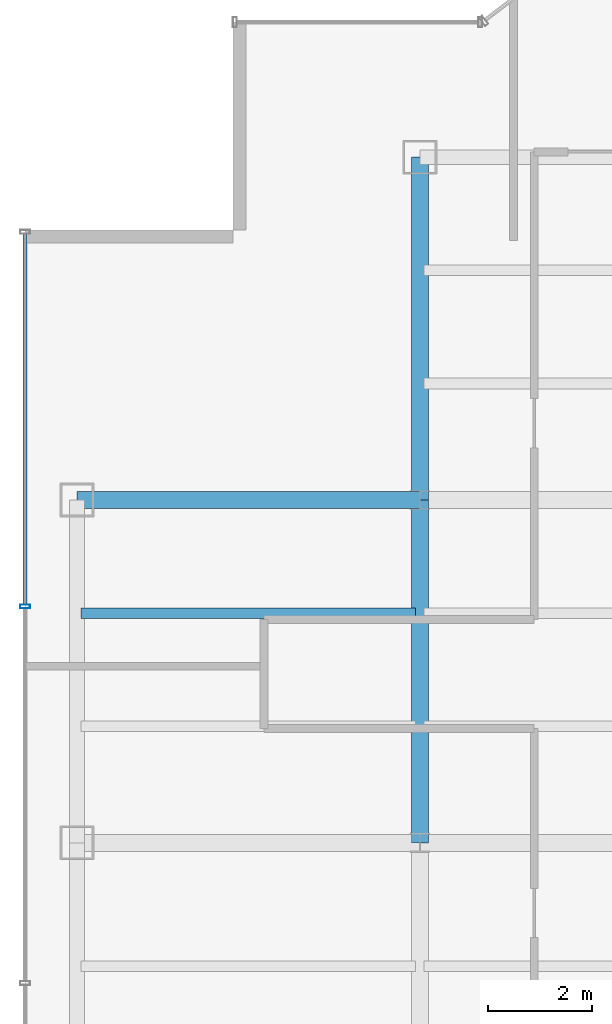
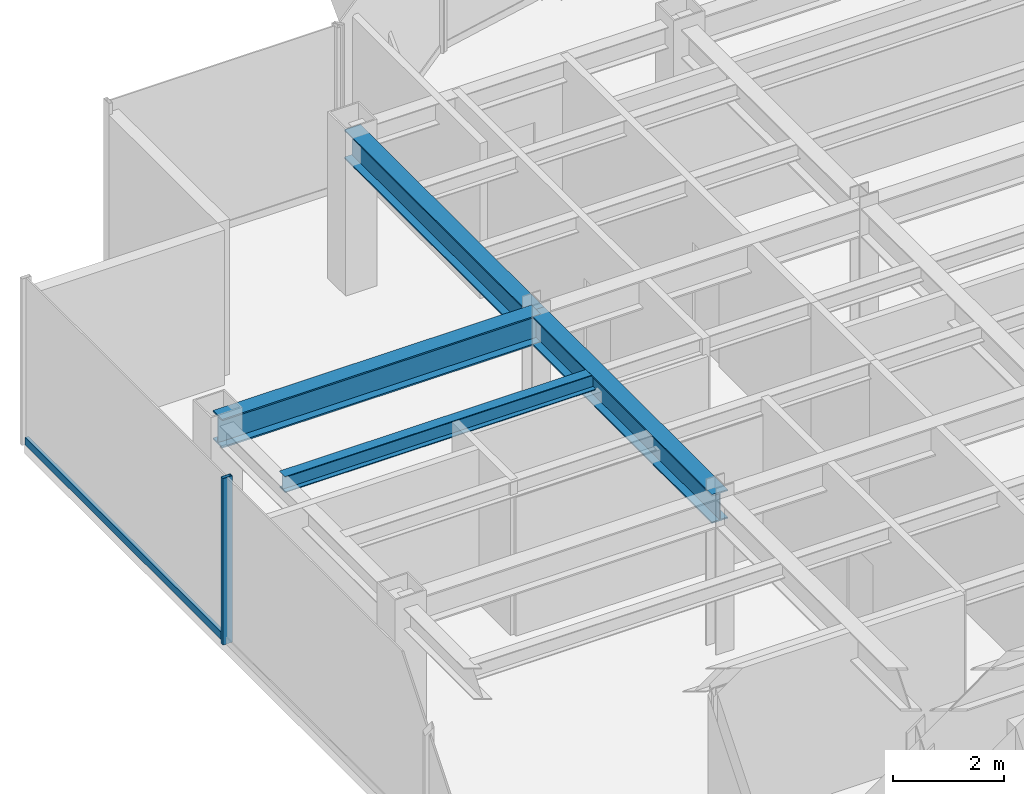
# One storey, part 7 of 25: 4 beams, 2 members, 1 element without a shape of its own.
"""IFC4 building model written with IfcOpenShell, lengths in metres."""

from ifc_helpers import new_model, si_unit, derived_unit, direction, frame, origin, origin_2d, place, context, subcontext, project, spatial, hollow_rectangle, i_section, extrude, source, transform, mapped, material, material_profile, profile_set, type_object, element, aggregate, save


model = new_model("IFC4")

# Units and contexts
model_context = context("Model", 3, precision=1e-05, world=origin(), true_north=direction((0.0, 1.0)))
body_context = subcontext(model_context, "Body", "Model", "MODEL_VIEW")
ifc_project = project(units=[si_unit("LENGTHUNIT", "METRE"), si_unit("AREAUNIT", "SQUARE_METRE"), si_unit("VOLUMEUNIT", "CUBIC_METRE"), si_unit("PLANEANGLEUNIT", "RADIAN"), si_unit("MASSUNIT", "GRAM", prefix="KILO"), derived_unit("THERMALTRANSMITTANCEUNIT", [(si_unit("POWERUNIT", "WATT"), 1), (si_unit("LENGTHUNIT", "METRE"), -2), (si_unit("THERMODYNAMICTEMPERATUREUNIT", "KELVIN"), -1)])], contexts=[model_context])

# Site, building, storey
site_placement = place(None, origin())
site = spatial("IfcSite", under=ifc_project, at=site_placement, CompositionType="ELEMENT")
building_placement = place(site_placement, origin())
building = spatial("IfcBuilding", under=site, at=building_placement, Name="Skarnbrae Concourse Arena and Tower", CompositionType="ELEMENT")
storey_placement = place(building_placement, frame((0.0, 0.0, 169.800048828125)))
storey = spatial("IfcBuildingStorey", under=building, at=storey_placement, Name="L43", CompositionType="ELEMENT", Elevation=169.800048828125)

# Beams
ifc_material_1 = material(Name="Steel CSA G40.21 350W", Category="steel")
ifc_material_profile_1 = material_profile(ifc_material_1, i_section(OverallWidth=0.3291015625, OverallDepth=0.635009765625, WebThickness=0.017822265625, FlangeThickness=0.031005859375, at=origin_2d()), Name="W610X241")
ifc_profile_set_1 = profile_set([ifc_material_profile_1], Name="Steel CSA G40.21 350W")
beam_type_1 = type_object("IfcBeamType", Name="BM-GIRD-W610X241", PredefinedType="BEAM", material=ifc_profile_set_1)
shared_shape_1 = source(origin(), body_context, "Body", "SweptSolid", [
    extrude(i_section(OverallWidth=0.3291015625, OverallDepth=0.635009765625, WebThickness=0.017822265625, FlangeThickness=0.031005859375, at=origin_2d()), origin(), (0.0, 0.0, 1.0), 6.60009765625),
])
for number, where, z_axis, x_axis, name in (
    (1, (1.0, 27.800048828125, 3.08251953125), (1.0, 0.0, 0.0), (0.0, 1.0, 0.0), "L43 Primary E-W girder Y27.8-1"),
    (2, (7.60009765625, 21.199951171875, 3.08251953125), (0.0, 1.0, 0.0), (-1.0, 0.0, 0.0), "L43 Primary N-S girder X7.6-2"),
):
    element("IfcBeam", number, at=place(storey_placement, frame(where, z_axis=z_axis, x_axis=x_axis)), inside=storey, type_object=beam_type_1, Name=name, PredefinedType="BEAM", context=body_context, shape_type="MappedRepresentation", body=[
        mapped(shared_shape_1, transform((0.0, 0.0, 0.0))),
    ])
shared_shape_2 = source(origin(), body_context, "Body", "SweptSolid", [
    extrude(i_section(OverallWidth=0.3291015625, OverallDepth=0.635009765625, WebThickness=0.017822265625, FlangeThickness=0.031005859375, at=origin_2d()), origin(), (0.0, 0.0, 1.0), 6.599853515625),
])
beam_1_placement = place(storey_placement, frame((7.60009765625, 27.800048828125, 3.08251953125), z_axis=(0.0, 1.0, 0.0), x_axis=(-1.0, 0.0, 0.0)))
element("IfcBeam", 3, at=beam_1_placement, inside=storey, type_object=beam_type_1, Name="L43 Primary N-S girder X7.6-3", PredefinedType="BEAM", context=body_context, shape_type="MappedRepresentation", body=[
    mapped(shared_shape_2, transform((0.0, 0.0, 0.0))),
])
ifc_material_profile_2 = material_profile(ifc_material_1, i_section(OverallWidth=0.205078125, OverallDepth=0.35400390625, WebThickness=0.009521484375, FlangeThickness=0.016845703125, at=origin_2d()), Name="W360X79")
ifc_profile_set_2 = profile_set([ifc_material_profile_2], Name="Steel CSA G40.21 350W")
beam_type_2 = type_object("IfcBeamType", Name="BM-JOIST-W360X79", PredefinedType="JOIST", material=ifc_profile_set_2)
shared_shape_3 = source(origin(), body_context, "Body", "SweptSolid", [
    extrude(i_section(OverallWidth=0.205078125, OverallDepth=0.35400390625, WebThickness=0.009521484375, FlangeThickness=0.016845703125, at=origin_2d()), origin(), (0.0, 0.0, 1.0), 6.43994140625),
])
beam_2_placement = place(storey_placement, frame((1.080078125, 25.6220703125, 3.222900390625), z_axis=(1.0, 0.0, 0.0), x_axis=(0.0, 1.0, 0.0)))
element("IfcBeam", 4, at=beam_2_placement, inside=storey, type_object=beam_type_2, Name="L43 Secondary floor joist 2.2.1", PredefinedType="JOIST", context=body_context, shape_type="MappedRepresentation", body=[
    mapped(shared_shape_3, transform((0.0, 0.0, 0.0))),
])

# Curtain wall, members
ifc_material_2 = material(Name="Bronze anodised aluminium 6063-T6", Category="aluminium")
curtain_wall_type = type_object("IfcCurtainWallType", Name="CW-SYS-04-MIDZONE", PredefinedType="USERDEFINED", material=ifc_material_2)
curtain_wall_placement = place(storey_placement, origin())
curtain_wall = element("IfcCurtainWall", 5, at=curtain_wall_placement, inside=storey, type_object=curtain_wall_type, Name="L43 Unitised curtain wall CW-L43-E18", ObjectType="UNITISED CURTAIN WALL", PredefinedType="USERDEFINED")
ifc_material_profile_3 = material_profile(ifc_material_2, hollow_rectangle(XDim=0.074951171875, YDim=0.195068359375, WallThickness=0.00439453125, at=origin_2d()), Name="ALU-MULL-75X195")
ifc_profile_set_3 = profile_set([ifc_material_profile_3], Name="Bronze anodised aluminium 6063-T6")
member_type_1 = type_object("IfcMemberType", Name="CWM-CW-04", PredefinedType="MULLION", material=ifc_profile_set_3)
shared_shape_4 = source(origin(), body_context, "Body", "SweptSolid", [
    extrude(hollow_rectangle(XDim=0.074951171875, YDim=0.195068359375, WallThickness=0.00439453125, at=origin_2d()), origin(), (0.0, 0.0, 1.0), 3.64990234375),
])
member_1_placement = place(storey_placement, frame((0.0, 25.75, 0.0), z_axis=(0.0, 0.0, 1.0), x_axis=(0.0, -1.0, 0.0)))
member_1 = element("IfcMember", 6, at=member_1_placement, type_object=member_type_1, Name="CW-L43-E18 Mullion 2", PredefinedType="MULLION", context=body_context, shape_type="MappedRepresentation", body=[
    mapped(shared_shape_4, transform((0.0, 0.0, 0.0))),
])
ifc_material_profile_4 = material_profile(ifc_material_2, hollow_rectangle(XDim=0.074951171875, YDim=0.159912109375, WallThickness=0.00439453125, at=origin_2d()), Name="ALU-TRAN-75X160")
ifc_profile_set_4 = profile_set([ifc_material_profile_4], Name="Bronze anodised aluminium 6063-T6")
member_type_2 = type_object("IfcMemberType", Name="CWT-CW-04", PredefinedType="USERDEFINED", material=ifc_profile_set_4)
shared_shape_5 = source(origin(), body_context, "Body", "SweptSolid", [
    extrude(hollow_rectangle(XDim=0.074951171875, YDim=0.159912109375, WallThickness=0.00439453125, at=origin_2d()), origin(), (0.0, 0.0, 1.0), 7.137451171875),
])
member_2_placement = place(storey_placement, frame((0.0, 32.925048828125, 0.079833984375), z_axis=(0.0, -1.0, 0.0), x_axis=(1.0, 0.0, 0.0)))
member_2 = element("IfcMember", 7, at=member_2_placement, type_object=member_type_2, Name="CW-L43-E18 Transom 1", ObjectType="TRANSOM", PredefinedType="USERDEFINED", context=body_context, shape_type="MappedRepresentation", body=[
    mapped(shared_shape_5, transform((0.0, 0.0, 0.0))),
])
aggregate(curtain_wall, [member_1, member_2])

save(model, "model.ifc")
